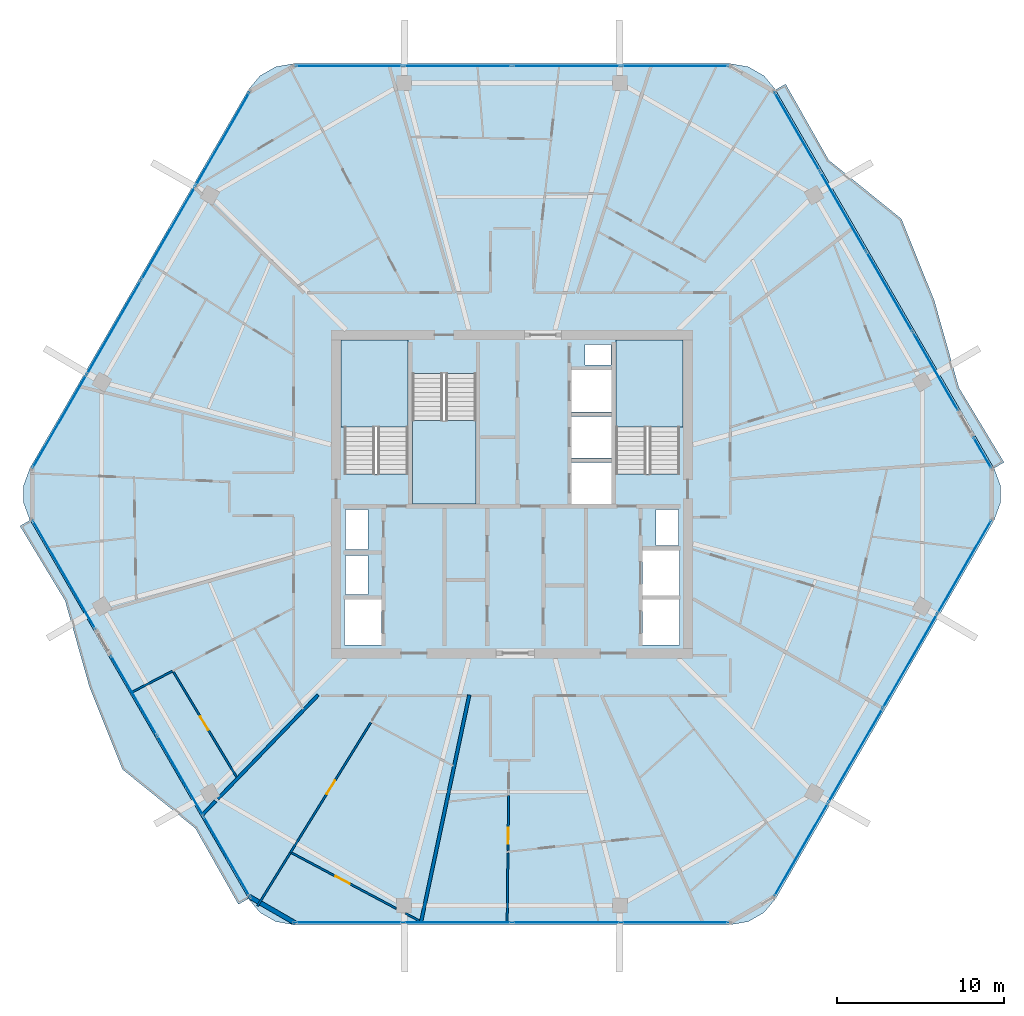
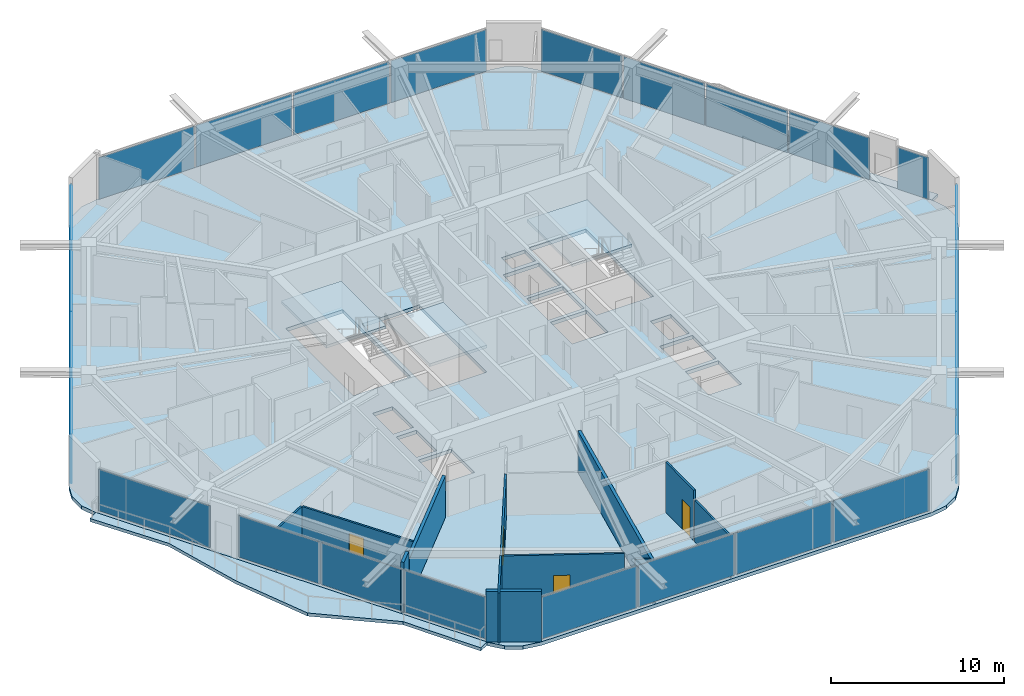
# One storey, part 17 of 26: 25 plates, 12 walls, 6 slabs, 4 doors, 4 openings, 11 elements without a shape of their own.
"""IFC4 building model written with IfcOpenShell, lengths in metres."""

from ifc_helpers import new_model, si_unit, direction, frame, frame_2d, origin, origin_2d, place, context, subcontext, project, spatial, polyline, rectangle, outline, extrude, material, layer, layer_set, type_object, element, fill, aggregate, save


model = new_model("IFC4")

# Units and contexts
model_context = context("Model", 3, precision=1e-05, world=origin(), true_north=direction((0.0, 1.0)))
body_context = subcontext(model_context, "Body", "Model", "MODEL_VIEW")
ifc_project = project(units=[si_unit("LENGTHUNIT", "METRE"), si_unit("AREAUNIT", "SQUARE_METRE"), si_unit("VOLUMEUNIT", "CUBIC_METRE"), si_unit("PLANEANGLEUNIT", "RADIAN"), si_unit("MASSUNIT", "GRAM", prefix="KILO")], contexts=[model_context])

# Site, building, storey
site_placement = place(None, origin())
site = spatial("IfcSite", under=ifc_project, at=site_placement, CompositionType="ELEMENT")
building_placement = place(site_placement, origin())
building = spatial("IfcBuilding", under=site, at=building_placement, Name="Zuhravey Tower", CompositionType="ELEMENT")
storey_placement = place(building_placement, frame((0.0, 0.0, 250.199951171875)))
storey = spatial("IfcBuildingStorey", under=building, at=storey_placement, Name="L63", CompositionType="ELEMENT", Elevation=250.199951171875)

# Slabs
ifc_material_1 = material(Name="Concrete C50/60", Category="concrete")
ifc_layer_1 = layer(ifc_material_1, 0.25)
ifc_layer_set_1 = layer_set([ifc_layer_1], Name="Concrete C50/60")
slab_type_1 = type_object("IfcSlabType", Name="Residential Acoustic Slab 250", PredefinedType="FLOOR", material=ifc_layer_set_1)
slab_1_placement = place(storey_placement, frame((0.0, 0.0, -0.25)))
element("IfcSlab", 1, at=slab_1_placement, inside=storey, type_object=slab_type_1, Name="L63 Floor Slab FS25", PredefinedType="FLOOR", context=body_context, shape_type="SweptSolid", body=[
    extrude(outline(polyline([(64.78515625, 30.449951171875), (65.1533203125, 31.461669921875), (65.1533203125, 32.538330078125), (64.78515625, 33.550048828125), (51.73486328125, 56.153564453125), (51.04296875, 56.978515625), (50.110595703125, 57.5166015625), (49.05029296875, 57.70361328125), (22.94970703125, 57.70361328125), (21.889404296875, 57.5166015625), (20.95703125, 56.978515625), (20.26513671875, 56.153564453125), (7.21484375, 33.550048828125), (6.8466796875, 32.538330078125), (6.8466796875, 31.461669921875), (7.21484375, 30.449951171875), (20.26513671875, 7.846435546875), (20.95703125, 7.021484375), (21.889404296875, 6.4833984375), (22.94970703125, 6.29638671875), (49.05029296875, 6.29638671875), (50.110595703125, 6.4833984375), (51.04296875, 7.021484375), (51.73486328125, 7.846435546875), (64.78515625, 30.449951171875)]), holes=[polyline([(29.800048828125, 33.20068359375), (29.800048828125, 41.0), (26.0, 41.0), (26.0, 33.20068359375), (29.800048828125, 33.20068359375)]), polyline([(46.0, 33.20068359375), (46.0, 41.0), (42.199951171875, 41.0), (42.199951171875, 33.20068359375), (46.0, 33.20068359375)]), polyline([(30.050048828125, 39.199462890625), (30.050048828125, 31.39990234375), (33.85009765625, 31.39990234375), (33.85009765625, 39.199462890625), (30.050048828125, 39.199462890625)]), polyline([(39.550048828125, 31.39990234375), (41.949951171875, 31.39990234375), (41.949951171875, 33.89990234375), (39.550048828125, 33.89990234375), (39.550048828125, 31.39990234375)]), polyline([(39.550048828125, 34.14990234375), (41.949951171875, 34.14990234375), (41.949951171875, 36.64990234375), (39.550048828125, 36.64990234375), (39.550048828125, 34.14990234375)]), polyline([(39.550048828125, 36.89990234375), (41.949951171875, 36.89990234375), (41.949951171875, 39.39990234375), (39.550048828125, 39.39990234375), (39.550048828125, 36.89990234375)]), polyline([(26.0, 23.0), (28.199951171875, 23.0), (28.199951171875, 25.699951171875), (26.0, 25.699951171875), (26.0, 23.0)]), polyline([(43.800048828125, 23.0), (46.0, 23.0), (46.0, 25.699951171875), (43.800048828125, 25.699951171875), (43.800048828125, 23.0)]), polyline([(43.800048828125, 25.949951171875), (46.0, 25.949951171875), (46.0, 28.64990234375), (43.800048828125, 28.64990234375), (43.800048828125, 25.949951171875)]), polyline([(26.050048828125, 26.0), (27.39990234375, 26.0), (27.39990234375, 28.35009765625), (26.050048828125, 28.35009765625), (26.050048828125, 26.0)]), polyline([(26.050048828125, 28.699951171875), (27.39990234375, 28.699951171875), (27.39990234375, 31.10009765625), (26.050048828125, 31.10009765625), (26.050048828125, 28.699951171875)]), polyline([(44.60009765625, 28.949951171875), (45.949951171875, 28.949951171875), (45.949951171875, 31.10009765625), (44.60009765625, 31.10009765625), (44.60009765625, 28.949951171875)]), polyline([(40.35009765625, 39.699951171875), (41.89990234375, 39.699951171875), (41.89990234375, 40.949951171875), (40.35009765625, 40.949951171875), (40.35009765625, 39.699951171875)])]), origin(), (0.0, 0.0, 1.0), 0.25),
])
ifc_material_2 = material(Name="Concrete C40/50", Category="concrete")
ifc_layer_2 = layer(ifc_material_2, 0.219970703125)
ifc_layer_set_2 = layer_set([ifc_layer_2], Name="Concrete C40/50")
slab_type_2 = type_object("IfcSlabType", Name="Sinusoidal Residential Wave Balcony 220", PredefinedType="FLOOR", material=ifc_layer_set_2)
slab_2_placement = place(storey_placement, frame((0.0, 0.0, -0.219970703125)))
element("IfcSlab", 2, at=slab_2_placement, inside=storey, type_object=slab_type_2, Name="L63 Face 4 Wave Balcony WB22", PredefinedType="FLOOR", context=body_context, shape_type="SweptSolid", body=[
    extrude(outline(polyline([(7.232177734375, 30.449951171875), (20.273681640625, 7.861328125), (19.66748046875, 7.511474609375), (17.09814453125, 12.051513671875), (12.752685546875, 15.56640625), (10.786376953125, 20.45458984375), (9.324951171875, 25.634521484375), (6.6259765625, 30.10009765625), (7.232177734375, 30.449951171875)])), origin(), (0.0, 0.0, 1.0), 0.219970703125),
])
slab_3_placement = place(storey_placement, frame((0.0, 0.0, -0.219970703125)))
element("IfcSlab", 3, at=slab_3_placement, inside=storey, type_object=slab_type_2, Name="L63 Face 1 Wave Balcony WB22", PredefinedType="FLOOR", context=body_context, shape_type="SweptSolid", body=[
    extrude(outline(polyline([(64.767822265625, 33.550048828125), (51.726318359375, 56.138671875), (52.33251953125, 56.488525390625), (54.90185546875, 51.948486328125), (59.247314453125, 48.43359375), (61.213623046875, 43.54541015625), (62.675048828125, 38.365478515625), (65.3740234375, 33.89990234375), (64.767822265625, 33.550048828125)])), origin(), (0.0, 0.0, 1.0), 0.219970703125),
])

# Stair, slab
stair_type = type_object("IfcStairType", Name="Housing Storey Stair Assembly 3800", PredefinedType="HALF_TURN_STAIR", material=ifc_material_2)
stair_1_placement = place(storey_placement, origin())
stair_1 = element("IfcStair", 4, at=stair_1_placement, inside=storey, type_object=stair_type, Name="L63 Core Exit Stair ST1", PredefinedType="HALF_TURN_STAIR")
ifc_layer_3 = layer(ifc_material_2, 0.199951171875)
ifc_layer_set_3 = layer_set([ifc_layer_3], Name="Concrete C40/50")
slab_type_3 = type_object("IfcSlabType", Name="Stair Landing Slab 200", PredefinedType="LANDING", material=ifc_layer_set_3)
slab_4_placement = place(storey_placement, frame((0.0, 0.0, 1.699951171875)))
slab_4 = element("IfcSlab", 5, at=slab_4_placement, type_object=slab_type_3, Name="ST1 landing 1", PredefinedType="LANDING", context=body_context, shape_type="SweptSolid", body=[
    extrude(outline(polyline([(29.800048828125, 36.0), (29.800048828125, 41.197998046875), (25.802001953125, 41.197998046875), (25.802001953125, 36.0), (29.800048828125, 36.0)])), origin(), (0.0, 0.0, 1.0), 0.2001953125),
])
aggregate(stair_1, [slab_4])

stair_2_placement = place(storey_placement, origin())
stair_2 = element("IfcStair", 6, at=stair_2_placement, inside=storey, type_object=stair_type, Name="L63 Core Exit Stair ST2", PredefinedType="HALF_TURN_STAIR")
slab_5_placement = place(storey_placement, frame((0.0, 0.0, 1.699951171875)))
slab_5 = element("IfcSlab", 7, at=slab_5_placement, type_object=slab_type_3, Name="ST2 landing 1", PredefinedType="LANDING", context=body_context, shape_type="SweptSolid", body=[
    extrude(outline(polyline([(46.197998046875, 36.0), (46.197998046875, 41.197998046875), (42.199951171875, 41.197998046875), (42.199951171875, 36.0), (46.197998046875, 36.0)])), origin(), (0.0, 0.0, 1.0), 0.2001953125),
])
aggregate(stair_2, [slab_5])

stair_3_placement = place(storey_placement, origin())
stair_3 = element("IfcStair", 8, at=stair_3_placement, inside=storey, type_object=stair_type, Name="L63 Core Exit Stair ST3", PredefinedType="HALF_TURN_STAIR")
slab_6_placement = place(storey_placement, frame((0.0, 0.0, 1.699951171875)))
slab_6 = element("IfcSlab", 9, at=slab_6_placement, type_object=slab_type_3, Name="ST3 landing 1", PredefinedType="LANDING", context=body_context, shape_type="SweptSolid", body=[
    extrude(outline(polyline([(30.050048828125, 36.39990234375), (30.050048828125, 31.39990234375), (33.85009765625, 31.39990234375), (33.85009765625, 36.39990234375), (30.050048828125, 36.39990234375)])), origin(), (0.0, 0.0, 1.0), 0.2001953125),
])
aggregate(stair_3, [slab_6])

# Curtain wall, plates
ifc_material_3 = material(Name="Thermally broken anodised aluminium", Category="aluminium")
curtain_wall_type = type_object("IfcCurtainWallType", Name="Zone 3-4 High-Rise Curtain Wall CW4", PredefinedType="NOTDEFINED", material=ifc_material_3)
curtain_wall_1_placement = place(storey_placement, origin())
curtain_wall_1 = element("IfcCurtainWall", 10, at=curtain_wall_1_placement, inside=storey, type_object=curtain_wall_type, Name="L63 CW4 CW-L63-F6-1", PredefinedType="NOTDEFINED")
ifc_material_4 = material(Name="Triple low-E insulated vision glass", Category="glass")
ifc_layer_4 = layer(ifc_material_4, 0.0419921875)
ifc_layer_set_4 = layer_set([ifc_layer_4], Name="Triple low-E insulated vision glass")
plate_type = type_object("IfcPlateType", Name="Triple Low-E Vision Panel", PredefinedType="CURTAIN_PANEL", material=ifc_layer_set_4)
plate_1_placement = place(storey_placement, frame((63.00732421875, 27.650634765625, 0.090087890625), z_axis=(0.0, 0.0, 1.0), x_axis=(-0.500000957414, -0.866024851021, 0.0)))
plate_1 = element("IfcPlate", 11, at=plate_1_placement, type_object=plate_type, Name="CW4 panel 1.1", PredefinedType="CURTAIN_PANEL", context=body_context, shape_type="SweptSolid", body=[
    extrude(rectangle(XDim=6.371337890625, YDim=0.0419921875, at=origin_2d()), origin(), (0.0, 0.0, 1.0), 2.94189453125),
])
plate_2_placement = place(storey_placement, frame((59.765380859375, 22.03564453125, 0.090087890625), z_axis=(0.0, 0.0, 1.0), x_axis=(-0.500000957414, -0.866024851021, 0.0)))
plate_2 = element("IfcPlate", 12, at=plate_2_placement, type_object=plate_type, Name="CW4 panel 2.1", PredefinedType="CURTAIN_PANEL", context=body_context, shape_type="SweptSolid", body=[
    extrude(rectangle(XDim=6.416259765625, YDim=0.0419921875, at=origin_2d()), origin(), (0.0, 0.0, 1.0), 2.94189453125),
])
plate_3_placement = place(storey_placement, frame((56.51220703125, 16.40087890625, 0.090087890625), z_axis=(0.0, 0.0, 1.0), x_axis=(-0.500000957414, -0.866024851021, 0.0)))
plate_3 = element("IfcPlate", 13, at=plate_3_placement, type_object=plate_type, Name="CW4 panel 3.1", PredefinedType="CURTAIN_PANEL", context=body_context, shape_type="SweptSolid", body=[
    extrude(rectangle(XDim=6.416259765625, YDim=0.0419921875, at=origin_2d()), origin(), (0.0, 0.0, 1.0), 2.94189453125),
])
plate_4_placement = place(storey_placement, frame((53.270263671875, 10.78564453125, 0.090087890625), z_axis=(0.0, 0.0, 1.0), x_axis=(-0.500000957414, -0.866024851021, 0.0)))
plate_4 = element("IfcPlate", 14, at=plate_4_placement, type_object=plate_type, Name="CW4 panel 4.1", PredefinedType="CURTAIN_PANEL", context=body_context, shape_type="SweptSolid", body=[
    extrude(rectangle(XDim=6.371337890625, YDim=0.0419921875, at=origin_2d()), origin(), (0.0, 0.0, 1.0), 2.94189453125),
])
aggregate(curtain_wall_1, [plate_1, plate_2, plate_3, plate_4])

curtain_wall_2_placement = place(storey_placement, origin())
curtain_wall_2 = element("IfcCurtainWall", 15, at=curtain_wall_2_placement, inside=storey, type_object=curtain_wall_type, Name="L63 CW4 CW-L63-F5-1", PredefinedType="NOTDEFINED")
plate_5_placement = place(storey_placement, frame((45.737060546875, 6.436279296875, 0.090087890625), z_axis=(0.0, 0.0, 1.0), x_axis=(-1.0, 0.0, 0.0)))
plate_5 = element("IfcPlate", 16, at=plate_5_placement, type_object=plate_type, Name="CW4 panel 1.1", PredefinedType="CURTAIN_PANEL", context=body_context, shape_type="SweptSolid", body=[
    extrude(rectangle(XDim=6.371337890625, YDim=0.0419921875, at=origin_2d()), origin(), (0.0, 0.0, 1.0), 2.94189453125),
])
plate_6_placement = place(storey_placement, frame((39.253173828125, 6.436279296875, 0.090087890625), z_axis=(0.0, 0.0, 1.0), x_axis=(-1.0, 0.0, 0.0)))
plate_6 = element("IfcPlate", 17, at=plate_6_placement, type_object=plate_type, Name="CW4 panel 2.1", PredefinedType="CURTAIN_PANEL", context=body_context, shape_type="SweptSolid", body=[
    extrude(rectangle(XDim=6.416259765625, YDim=0.0419921875, at=origin_2d()), origin(), (0.0, 0.0, 1.0), 2.94189453125),
])
plate_7_placement = place(storey_placement, frame((32.746826171875, 6.436279296875, 0.090087890625), z_axis=(0.0, 0.0, 1.0), x_axis=(-1.0, 0.0, 0.0)))
plate_7 = element("IfcPlate", 18, at=plate_7_placement, type_object=plate_type, Name="CW4 panel 3.1", PredefinedType="CURTAIN_PANEL", context=body_context, shape_type="SweptSolid", body=[
    extrude(rectangle(XDim=6.416259765625, YDim=0.0419921875, at=origin_2d()), origin(), (0.0, 0.0, 1.0), 2.94189453125),
])
plate_8_placement = place(storey_placement, frame((26.262939453125, 6.436279296875, 0.090087890625), z_axis=(0.0, 0.0, 1.0), x_axis=(-1.0, 0.0, 0.0)))
plate_8 = element("IfcPlate", 19, at=plate_8_placement, type_object=plate_type, Name="CW4 panel 4.1", PredefinedType="CURTAIN_PANEL", context=body_context, shape_type="SweptSolid", body=[
    extrude(rectangle(XDim=6.371337890625, YDim=0.0419921875, at=origin_2d()), origin(), (0.0, 0.0, 1.0), 2.94189453125),
])
aggregate(curtain_wall_2, [plate_5, plate_6, plate_7, plate_8])

curtain_wall_3_placement = place(storey_placement, origin())
curtain_wall_3 = element("IfcCurtainWall", 20, at=curtain_wall_3_placement, inside=storey, type_object=curtain_wall_type, Name="L63 CW4 CW-L63-F4-1", PredefinedType="NOTDEFINED")
plate_9_placement = place(storey_placement, frame((18.964599609375, 10.37890625, 0.090087890625), z_axis=(0.0, 0.0, 1.0), x_axis=(-0.50000095096, 0.866024854747, 0.0)))
plate_9 = element("IfcPlate", 21, at=plate_9_placement, type_object=plate_type, Name="CW4 panel 1.1", PredefinedType="CURTAIN_PANEL", context=body_context, shape_type="SweptSolid", body=[
    extrude(rectangle(XDim=5.43212890625, YDim=0.0419921875, at=origin_2d()), origin(), (0.0, 0.0, 1.0), 2.94189453125),
])
plate_10_placement = place(storey_placement, frame((16.192138671875, 15.180908203125, 0.090087890625), z_axis=(0.0, 0.0, 1.0), x_axis=(-0.50000095096, 0.866024854747, 0.0)))
plate_10 = element("IfcPlate", 22, at=plate_10_placement, type_object=plate_type, Name="CW4 panel 2.1", PredefinedType="CURTAIN_PANEL", context=body_context, shape_type="SweptSolid", body=[
    extrude(rectangle(XDim=5.47705078125, YDim=0.0419921875, at=origin_2d()), origin(), (0.0, 0.0, 1.0), 2.94189453125),
])
plate_11_placement = place(storey_placement, frame((13.419921875, 19.982666015625, 0.090087890625), z_axis=(0.0, 0.0, 1.0), x_axis=(-0.50000095096, 0.866024854747, 0.0)))
plate_11 = element("IfcPlate", 23, at=plate_11_placement, type_object=plate_type, Name="CW4 panel 3.1", PredefinedType="CURTAIN_PANEL", context=body_context, shape_type="SweptSolid", body=[
    extrude(rectangle(XDim=5.43212890625, YDim=0.0419921875, at=origin_2d()), origin(), (0.0, 0.0, 1.0), 2.94189453125),
])
aggregate(curtain_wall_3, [plate_9, plate_10, plate_11])

# Curtain wall, plate
curtain_wall_4_placement = place(storey_placement, origin())
curtain_wall_4 = element("IfcCurtainWall", 24, at=curtain_wall_4_placement, inside=storey, type_object=curtain_wall_type, Name="L63 CW4 CW-L63-F4-2", PredefinedType="NOTDEFINED")
plate_12_placement = place(storey_placement, frame((9.260986328125, 27.186279296875, 0.090087890625), z_axis=(0.0, 0.0, 1.0), x_axis=(-0.500004411864, 0.866022856579, 0.0)))
plate_12 = element("IfcPlate", 25, at=plate_12_placement, type_object=plate_type, Name="CW4 panel 1.1", PredefinedType="CURTAIN_PANEL", context=body_context, shape_type="SweptSolid", body=[
    extrude(rectangle(XDim=7.44384765625, YDim=0.0419921875, at=origin_2d()), origin(), (0.0, 0.0, 1.0), 2.94189453125),
])
aggregate(curtain_wall_4, [plate_12])

# Curtain wall, plates
curtain_wall_5_placement = place(storey_placement, origin())
curtain_wall_5 = element("IfcCurtainWall", 26, at=curtain_wall_5_placement, inside=storey, type_object=curtain_wall_type, Name="L63 CW4 CW-L63-F3-1", PredefinedType="NOTDEFINED")
plate_13_placement = place(storey_placement, frame((8.99267578125, 36.349365234375, 0.090087890625), z_axis=(0.0, 0.0, 1.0), x_axis=(0.500000957414, 0.866024851021, 0.0)))
plate_13 = element("IfcPlate", 27, at=plate_13_placement, type_object=plate_type, Name="CW4 panel 1.1", PredefinedType="CURTAIN_PANEL", context=body_context, shape_type="SweptSolid", body=[
    extrude(rectangle(XDim=6.371337890625, YDim=0.0419921875, at=origin_2d()), origin(), (0.0, 0.0, 1.0), 2.94189453125),
])
plate_14_placement = place(storey_placement, frame((12.234619140625, 41.96435546875, 0.090087890625), z_axis=(0.0, 0.0, 1.0), x_axis=(0.500000957414, 0.866024851021, 0.0)))
plate_14 = element("IfcPlate", 28, at=plate_14_placement, type_object=plate_type, Name="CW4 panel 2.1", PredefinedType="CURTAIN_PANEL", context=body_context, shape_type="SweptSolid", body=[
    extrude(rectangle(XDim=6.416259765625, YDim=0.0419921875, at=origin_2d()), origin(), (0.0, 0.0, 1.0), 2.94189453125),
])
plate_15_placement = place(storey_placement, frame((15.48779296875, 47.59912109375, 0.090087890625), z_axis=(0.0, 0.0, 1.0), x_axis=(0.500000957414, 0.866024851021, 0.0)))
plate_15 = element("IfcPlate", 29, at=plate_15_placement, type_object=plate_type, Name="CW4 panel 3.1", PredefinedType="CURTAIN_PANEL", context=body_context, shape_type="SweptSolid", body=[
    extrude(rectangle(XDim=6.416259765625, YDim=0.0419921875, at=origin_2d()), origin(), (0.0, 0.0, 1.0), 2.94189453125),
])
plate_16_placement = place(storey_placement, frame((18.729736328125, 53.21435546875, 0.090087890625), z_axis=(0.0, 0.0, 1.0), x_axis=(0.500000957414, 0.866024851021, 0.0)))
plate_16 = element("IfcPlate", 30, at=plate_16_placement, type_object=plate_type, Name="CW4 panel 4.1", PredefinedType="CURTAIN_PANEL", context=body_context, shape_type="SweptSolid", body=[
    extrude(rectangle(XDim=6.371337890625, YDim=0.0419921875, at=origin_2d()), origin(), (0.0, 0.0, 1.0), 2.94189453125),
])
aggregate(curtain_wall_5, [plate_13, plate_14, plate_15, plate_16])

curtain_wall_6_placement = place(storey_placement, origin())
curtain_wall_6 = element("IfcCurtainWall", 31, at=curtain_wall_6_placement, inside=storey, type_object=curtain_wall_type, Name="L63 CW4 CW-L63-F2-1", PredefinedType="NOTDEFINED")
plate_17_placement = place(storey_placement, frame((26.262939453125, 57.563720703125, 0.090087890625), z_axis=(0.0, 0.0, 1.0), x_axis=(1.0, 0.0, 0.0)))
plate_17 = element("IfcPlate", 32, at=plate_17_placement, type_object=plate_type, Name="CW4 panel 1.1", PredefinedType="CURTAIN_PANEL", context=body_context, shape_type="SweptSolid", body=[
    extrude(rectangle(XDim=6.371337890625, YDim=0.0419921875, at=origin_2d()), origin(), (0.0, 0.0, 1.0), 2.94189453125),
])
plate_18_placement = place(storey_placement, frame((32.746826171875, 57.563720703125, 0.090087890625), z_axis=(0.0, 0.0, 1.0), x_axis=(1.0, 0.0, 0.0)))
plate_18 = element("IfcPlate", 33, at=plate_18_placement, type_object=plate_type, Name="CW4 panel 2.1", PredefinedType="CURTAIN_PANEL", context=body_context, shape_type="SweptSolid", body=[
    extrude(rectangle(XDim=6.416259765625, YDim=0.0419921875, at=origin_2d()), origin(), (0.0, 0.0, 1.0), 2.94189453125),
])
plate_19_placement = place(storey_placement, frame((39.253173828125, 57.563720703125, 0.090087890625), z_axis=(0.0, 0.0, 1.0), x_axis=(1.0, 0.0, 0.0)))
plate_19 = element("IfcPlate", 34, at=plate_19_placement, type_object=plate_type, Name="CW4 panel 3.1", PredefinedType="CURTAIN_PANEL", context=body_context, shape_type="SweptSolid", body=[
    extrude(rectangle(XDim=6.416259765625, YDim=0.0419921875, at=origin_2d()), origin(), (0.0, 0.0, 1.0), 2.94189453125),
])
plate_20_placement = place(storey_placement, frame((45.737060546875, 57.563720703125, 0.090087890625), z_axis=(0.0, 0.0, 1.0), x_axis=(1.0, 0.0, 0.0)))
plate_20 = element("IfcPlate", 35, at=plate_20_placement, type_object=plate_type, Name="CW4 panel 4.1", PredefinedType="CURTAIN_PANEL", context=body_context, shape_type="SweptSolid", body=[
    extrude(rectangle(XDim=6.371337890625, YDim=0.0419921875, at=origin_2d()), origin(), (0.0, 0.0, 1.0), 2.94189453125),
])
aggregate(curtain_wall_6, [plate_17, plate_18, plate_19, plate_20])

curtain_wall_7_placement = place(storey_placement, origin())
curtain_wall_7 = element("IfcCurtainWall", 36, at=curtain_wall_7_placement, inside=storey, type_object=curtain_wall_type, Name="L63 CW4 CW-L63-F1-1", PredefinedType="NOTDEFINED")
plate_21_placement = place(storey_placement, frame((53.023681640625, 53.6416015625, 0.090087890625), z_axis=(0.0, 0.0, 1.0), x_axis=(0.499999507553, -0.866025688098, 0.0)))
plate_21 = element("IfcPlate", 37, at=plate_21_placement, type_object=plate_type, Name="CW4 panel 1.1", PredefinedType="CURTAIN_PANEL", context=body_context, shape_type="SweptSolid", body=[
    extrude(rectangle(XDim=5.384765625, YDim=0.0419921875, at=origin_2d()), origin(), (0.0, 0.0, 1.0), 2.94189453125),
])
plate_22_placement = place(storey_placement, frame((55.772216796875, 48.880615234375, 0.090087890625), z_axis=(0.0, 0.0, 1.0), x_axis=(0.499999507553, -0.866025688098, 0.0)))
plate_22 = element("IfcPlate", 38, at=plate_22_placement, type_object=plate_type, Name="CW4 panel 2.1", PredefinedType="CURTAIN_PANEL", context=body_context, shape_type="SweptSolid", body=[
    extrude(rectangle(XDim=5.4296875, YDim=0.0419921875, at=origin_2d()), origin(), (0.0, 0.0, 1.0), 2.94189453125),
])
plate_23_placement = place(storey_placement, frame((58.531982421875, 44.1005859375, 0.090087890625), z_axis=(0.0, 0.0, 1.0), x_axis=(0.499999507553, -0.866025688098, 0.0)))
plate_23 = element("IfcPlate", 39, at=plate_23_placement, type_object=plate_type, Name="CW4 panel 3.1", PredefinedType="CURTAIN_PANEL", context=body_context, shape_type="SweptSolid", body=[
    extrude(rectangle(XDim=5.4296875, YDim=0.0419921875, at=origin_2d()), origin(), (0.0, 0.0, 1.0), 2.94189453125),
])
plate_24_placement = place(storey_placement, frame((61.28076171875, 39.339599609375, 0.090087890625), z_axis=(0.0, 0.0, 1.0), x_axis=(0.499999507553, -0.866025688098, 0.0)))
plate_24 = element("IfcPlate", 40, at=plate_24_placement, type_object=plate_type, Name="CW4 panel 4.1", PredefinedType="CURTAIN_PANEL", context=body_context, shape_type="SweptSolid", body=[
    extrude(rectangle(XDim=5.384765625, YDim=0.0419921875, at=origin_2d()), origin(), (0.0, 0.0, 1.0), 2.94189453125),
])
aggregate(curtain_wall_7, [plate_21, plate_22, plate_23, plate_24])

# Curtain wall, plate
curtain_wall_8_placement = place(storey_placement, origin())
curtain_wall_8 = element("IfcCurtainWall", 41, at=curtain_wall_8_placement, inside=storey, type_object=curtain_wall_type, Name="L63 CW4 CW-L63-F1-2", PredefinedType="NOTDEFINED")
plate_25_placement = place(storey_placement, frame((64.08349609375, 34.485107421875, 0.090087890625), z_axis=(0.0, 0.0, 1.0), x_axis=(0.500007607705, -0.866021011429, 0.0)))
plate_25 = element("IfcPlate", 42, at=plate_25_placement, type_object=plate_type, Name="CW4 panel 1.1", PredefinedType="CURTAIN_PANEL", context=body_context, shape_type="SweptSolid", body=[
    extrude(rectangle(XDim=2.06640625, YDim=0.0419921875, at=origin_2d()), origin(), (0.0, 0.0, 1.0), 2.94189453125),
])
aggregate(curtain_wall_8, [plate_25])

# Walls
ifc_material_5 = material(Name="Precast concrete C40/50", Category="concrete")
ifc_layer_5 = layer(ifc_material_5, 0.280029296875)
ifc_layer_set_5 = layer_set([ifc_layer_5], Name="Precast concrete C40/50")
wall_type_1 = type_object("IfcWallType", Name="Crown Architectural Wall 280", PredefinedType="SOLIDWALL", material=ifc_layer_set_5)
wall_1_placement = place(storey_placement, frame((23.069580078125, 6.388916015625, 0.0), z_axis=(0.0, 0.0, 1.0), x_axis=(-0.866028773314, 0.499994163758, 0.0)))
element("IfcWall", 43, at=wall_1_placement, inside=storey, type_object=wall_type_1, Name="L63 Rounded Corner Closure Wall EW28-04", PredefinedType="SOLIDWALL", context=body_context, shape_type="SweptSolid", body=[
    extrude(rectangle(XDim=3.21484375, YDim=0.280029296875, at=frame_2d((1.607421875, 0.0))), origin(), (0.0, 0.0, 1.0), 3.550048828125),
])
ifc_material_6 = material(Name="Gypsum double-stud party assembly")
ifc_layer_6 = layer(ifc_material_6, 0.199951171875)
ifc_layer_set_6 = layer_set([ifc_layer_6], Name="Gypsum double-stud party assembly")
wall_type_2 = type_object("IfcWallType", Name="Inter-Tenancy Party Wall 200", PredefinedType="PARTITIONING", material=ifc_layer_set_6)
wall_2_placement = place(storey_placement, frame((24.42138671875, 20.010009765625, 0.0), z_axis=(0.0, 0.0, 1.0), x_axis=(-0.694650551067, -0.719347351355, 0.0)))
element("IfcWall", 44, at=wall_2_placement, inside=storey, type_object=wall_type_2, Name="L63 IW20 Partition 090", PredefinedType="PARTITIONING", context=body_context, shape_type="SweptSolid", body=[
    extrude(rectangle(XDim=8.630126953125, YDim=0.199951171875, at=frame_2d((4.31494140625, 0.0))), origin(), (0.0, 0.0, 1.0), 2.929931640625),
])
wall_3_placement = place(storey_placement, frame((18.303955078125, 13.67529296875, 0.0), z_axis=(0.0, 0.0, 1.0), x_axis=(-0.69467624965, -0.719322534175, 0.0)))
element("IfcWall", 45, at=wall_3_placement, inside=storey, type_object=wall_type_2, Name="L63 IW20 Partition 091", PredefinedType="PARTITIONING", context=body_context, shape_type="SweptSolid", body=[
    extrude(rectangle(XDim=1.119384765625, YDim=0.199951171875, at=frame_2d((0.5595703125, 0.0))), origin(), (0.0, 0.0, 1.0), 3.550048828125),
])
wall_4_placement = place(storey_placement, frame((33.451416015625, 20.010009765625, 0.0), z_axis=(0.0, 0.0, 1.0), x_axis=(-0.207899576005, -0.978150175738, 0.0)))
element("IfcWall", 46, at=wall_4_placement, inside=storey, type_object=wall_type_2, Name="L63 IW20 Partition 096", PredefinedType="PARTITIONING", context=body_context, shape_type="SweptSolid", body=[
    extrude(rectangle(XDim=13.876953125, YDim=0.199951171875, at=frame_2d((6.9384765625, 0.0))), origin(), (0.0, 0.0, 1.0), 2.929931640625),
])

# Wall, opening, door
ifc_material_7 = material(Name="Gypsum metal-stud partition")
ifc_layer_7 = layer(ifc_material_7, 0.1201171875)
ifc_layer_set_7 = layer_set([ifc_layer_7], Name="Gypsum metal-stud partition")
wall_type_3 = type_object("IfcWallType", Name="Unit Internal Partition 120", PredefinedType="PARTITIONING", material=ifc_layer_set_7)
wall_5_placement = place(storey_placement, frame((15.78515625, 21.39111328125, 0.0), z_axis=(0.0, 0.0, 1.0), x_axis=(0.515050233646, -0.857159994879, 0.0)))
wall_5 = element("IfcWall", 47, at=wall_5_placement, inside=storey, type_object=wall_type_3, Name="L63 IW12 Partition 037", PredefinedType="PARTITIONING", context=body_context, shape_type="SweptSolid", body=[
    extrude(rectangle(XDim=7.3154296875, YDim=0.1201171875, at=frame_2d((3.65771484375, 0.0))), origin(), (0.0, 0.0, 1.0), 2.949951171875),
])
opening_1_placement = place(wall_5_placement, frame((3.0986328125, 0.0, 0.0)))
opening_1 = element("IfcOpeningElement", 48, at=opening_1_placement, cuts=wall_5, Name="Opening IND1", PredefinedType="OPENING", context=body_context, shape_type="SweptSolid", body=[
    extrude(rectangle(XDim=0.949951171875, YDim=2.10009765625, at=frame_2d((0.47509765625, 1.050048828125))), frame((0.0, 0.072021484375, 0.0), z_axis=(0.0, -1.0, 0.0), x_axis=(1.0, 0.0, 0.0)), (0.0, 0.0, 1.0), 0.14404296875),
])
ifc_material_8 = material(Name="Painted engineered timber leaf", Category="wood")
door_type = type_object("IfcDoorType", Name="Internal Room & Bedroom Door 950x2100", OperationType="NOTDEFINED", PredefinedType="DOOR", material=ifc_material_8)
door_1_placement = place(opening_1_placement, frame((0.949951171875, 0.0, 0.0), z_axis=(0.0, 0.0, 1.0), x_axis=(-1.0, 0.0, 0.0)))
door_1 = element("IfcDoor", 49, at=door_1_placement, inside=storey, type_object=door_type, Name="Apartment L63-04 Kitchen Door", OperationType="SINGLE_SWING_LEFT", OverallHeight=2.10009765625, OverallWidth=0.949951171875, PredefinedType="DOOR", context=body_context, shape_type="SweptSolid", body=[
    extrude(rectangle(XDim=0.949951171875, YDim=2.10009765625, at=frame_2d((0.47509765625, 1.050048828125))), frame((0.0, 0.02490234375, 0.0), z_axis=(0.0, -1.0, 0.0), x_axis=(1.0, 0.0, 0.0)), (0.0, 0.0, 1.0), 0.050048828125),
])
fill(opening_1, door_1)

wall_6_placement = place(storey_placement, frame((27.573974609375, 18.36767578125, 0.0), z_axis=(0.0, 0.0, 1.0), x_axis=(-0.525774998316, -0.850623683626, 0.0)))
wall_6 = element("IfcWall", 50, at=wall_6_placement, inside=storey, type_object=wall_type_3, Name="L63 IW12 Partition 040", PredefinedType="PARTITIONING", context=body_context, shape_type="SweptSolid", body=[
    extrude(rectangle(XDim=9.137451171875, YDim=0.1201171875, at=frame_2d((4.56884765625, 0.0))), origin(), (0.0, 0.0, 1.0), 2.929931640625),
])
opening_2_placement = place(wall_6_placement, frame((4.068603515625, 0.0, 0.0)))
opening_2 = element("IfcOpeningElement", 51, at=opening_2_placement, cuts=wall_6, Name="Opening IND1", PredefinedType="OPENING", context=body_context, shape_type="SweptSolid", body=[
    extrude(rectangle(XDim=0.949951171875, YDim=2.10009765625, at=frame_2d((0.47509765625, 1.050048828125))), frame((0.0, 0.072021484375, 0.0), z_axis=(0.0, -1.0, 0.0), x_axis=(1.0, 0.0, 0.0)), (0.0, 0.0, 1.0), 0.14404296875),
])
door_2_placement = place(opening_2_placement, origin())
door_2 = element("IfcDoor", 52, at=door_2_placement, inside=storey, type_object=door_type, Name="Apartment L63-05 Home Office Door", OperationType="SINGLE_SWING_RIGHT", OverallHeight=2.10009765625, OverallWidth=0.949951171875, PredefinedType="DOOR", context=body_context, shape_type="SweptSolid", body=[
    extrude(rectangle(XDim=0.949951171875, YDim=2.10009765625, at=frame_2d((0.47509765625, 1.050048828125))), frame((0.0, 0.02490234375, 0.0), z_axis=(0.0, -1.0, 0.0), x_axis=(1.0, 0.0, 0.0)), (0.0, 0.0, 1.0), 0.050048828125),
])
fill(opening_2, door_2)

wall_7_placement = place(storey_placement, frame((22.843017578125, 10.58447265625, 0.0), z_axis=(0.0, 0.0, 1.0), x_axis=(0.882936922094, -0.469491631026, 0.0)))
wall_7 = element("IfcWall", 53, at=wall_7_placement, inside=storey, type_object=wall_type_3, Name="L63 IW12 Partition 041", PredefinedType="PARTITIONING", context=body_context, shape_type="SweptSolid", body=[
    extrude(rectangle(XDim=7.07421875, YDim=0.1201171875, at=frame_2d((3.537109375, 0.0))), origin(), (0.0, 0.0, 1.0), 3.550048828125),
])
opening_3_placement = place(wall_7_placement, frame((2.977783203125, 0.0, 0.0)))
opening_3 = element("IfcOpeningElement", 54, at=opening_3_placement, cuts=wall_7, Name="Opening IND1", PredefinedType="OPENING", context=body_context, shape_type="SweptSolid", body=[
    extrude(rectangle(XDim=0.949951171875, YDim=2.10009765625, at=frame_2d((0.47509765625, 1.050048828125))), frame((0.0, 0.072021484375, 0.0), z_axis=(0.0, -1.0, 0.0), x_axis=(1.0, 0.0, 0.0)), (0.0, 0.0, 1.0), 0.14404296875),
])
door_3_placement = place(opening_3_placement, frame((0.949951171875, 0.0, 0.0), z_axis=(0.0, 0.0, 1.0), x_axis=(-1.0, 0.0, 0.0)))
door_3 = element("IfcDoor", 55, at=door_3_placement, inside=storey, type_object=door_type, Name="Apartment L63-05 Kitchen Door", OperationType="SINGLE_SWING_LEFT", OverallHeight=2.10009765625, OverallWidth=0.949951171875, PredefinedType="DOOR", context=body_context, shape_type="SweptSolid", body=[
    extrude(rectangle(XDim=0.949951171875, YDim=2.10009765625, at=frame_2d((0.47509765625, 1.050048828125))), frame((0.0, 0.02490234375, 0.0), z_axis=(0.0, -1.0, 0.0), x_axis=(1.0, 0.0, 0.0)), (0.0, 0.0, 1.0), 0.050048828125),
])
fill(opening_3, door_3)

wall_8_placement = place(storey_placement, frame((35.795654296875, 13.996337890625, 0.0), z_axis=(0.0, 0.0, 1.0), x_axis=(-0.011329872819, -0.999935814931, 0.0)))
wall_8 = element("IfcWall", 56, at=wall_8_placement, inside=storey, type_object=wall_type_3, Name="L63 IW12 Partition 045", PredefinedType="PARTITIONING", context=body_context, shape_type="SweptSolid", body=[
    extrude(rectangle(XDim=3.275390625, YDim=0.1201171875, at=frame_2d((1.6376953125, 0.0))), origin(), (0.0, 0.0, 1.0), 3.550048828125),
])
opening_4_placement = place(wall_8_placement, frame((1.911865234375, 0.0, 0.0)))
opening_4 = element("IfcOpeningElement", 57, at=opening_4_placement, cuts=wall_8, Name="Opening IND1", PredefinedType="OPENING", context=body_context, shape_type="SweptSolid", body=[
    extrude(rectangle(XDim=0.949951171875, YDim=2.10009765625, at=frame_2d((0.47509765625, 1.050048828125))), frame((0.0, 0.072021484375, 0.0), z_axis=(0.0, -1.0, 0.0), x_axis=(1.0, 0.0, 0.0)), (0.0, 0.0, 1.0), 0.14404296875),
])
door_4_placement = place(opening_4_placement, frame((0.949951171875, 0.0, 0.0), z_axis=(0.0, 0.0, 1.0), x_axis=(-1.0, 0.0, 0.0)))
door_4 = element("IfcDoor", 58, at=door_4_placement, inside=storey, type_object=door_type, Name="Apartment L63-06 Bedroom 1 Door", OperationType="SINGLE_SWING_RIGHT", OverallHeight=2.10009765625, OverallWidth=0.949951171875, PredefinedType="DOOR", context=body_context, shape_type="SweptSolid", body=[
    extrude(rectangle(XDim=0.949951171875, YDim=2.10009765625, at=frame_2d((0.47509765625, 1.050048828125))), frame((0.0, 0.02490234375, 0.0), z_axis=(0.0, -1.0, 0.0), x_axis=(1.0, 0.0, 0.0)), (0.0, 0.0, 1.0), 0.050048828125),
])
fill(opening_4, door_4)

# Walls
wall_9_placement = place(storey_placement, frame((35.757080078125, 10.584228515625, 0.0), z_axis=(0.0, 0.0, 1.0), x_axis=(-0.011345536626, -0.999935637328, 0.0)))
element("IfcWall", 59, at=wall_9_placement, inside=storey, type_object=wall_type_3, Name="L63 IW12 Partition 046", PredefinedType="PARTITIONING", context=body_context, shape_type="SweptSolid", body=[
    extrude(rectangle(XDim=4.153076171875, YDim=0.1201171875, at=frame_2d((2.07666015625, 0.0))), origin(), (0.0, 0.0, 1.0), 2.929931640625),
])
wall_10_placement = place(storey_placement, frame((15.727783203125, 21.43798828125, 0.0), z_axis=(0.0, 0.0, 1.0), x_axis=(-0.886855386052, -0.462047101745, 0.0)))
element("IfcWall", 60, at=wall_10_placement, inside=storey, type_object=wall_type_3, Name="L63 IW12 Partition 088", PredefinedType="PARTITIONING", context=body_context, shape_type="SweptSolid", body=[
    extrude(rectangle(XDim=2.73388671875, YDim=0.1201171875, at=frame_2d((1.366943359375, 0.0))), origin(), (0.0, 0.0, 1.0), 2.929931640625),
])
wall_11_placement = place(storey_placement, frame((22.769775390625, 10.59521484375, 0.0), z_axis=(0.0, 0.0, 1.0), x_axis=(-0.525761118402, -0.850632262718, 0.0)))
element("IfcWall", 61, at=wall_11_placement, inside=storey, type_object=wall_type_3, Name="L63 IW12 Partition 093", PredefinedType="PARTITIONING", context=body_context, shape_type="SweptSolid", body=[
    extrude(rectangle(XDim=3.739501953125, YDim=0.1201171875, at=frame_2d((1.86962890625, 0.0))), origin(), (0.0, 0.0, 1.0), 3.550048828125),
])
wall_12_placement = place(storey_placement, frame((29.628662109375, 6.976318359375, 0.0), z_axis=(0.0, 0.0, 1.0), x_axis=(0.883014643107, -0.46934543788, 0.0)))
element("IfcWall", 62, at=wall_12_placement, inside=storey, type_object=wall_type_3, Name="L63 IW12 Partition 095", PredefinedType="PARTITIONING", context=body_context, shape_type="SweptSolid", body=[
    extrude(rectangle(XDim=0.9384765625, YDim=0.1201171875, at=frame_2d((0.46923828125, 0.0))), origin(), (0.0, 0.0, 1.0), 3.1220703125),
])

save(model, "model.ifc")
